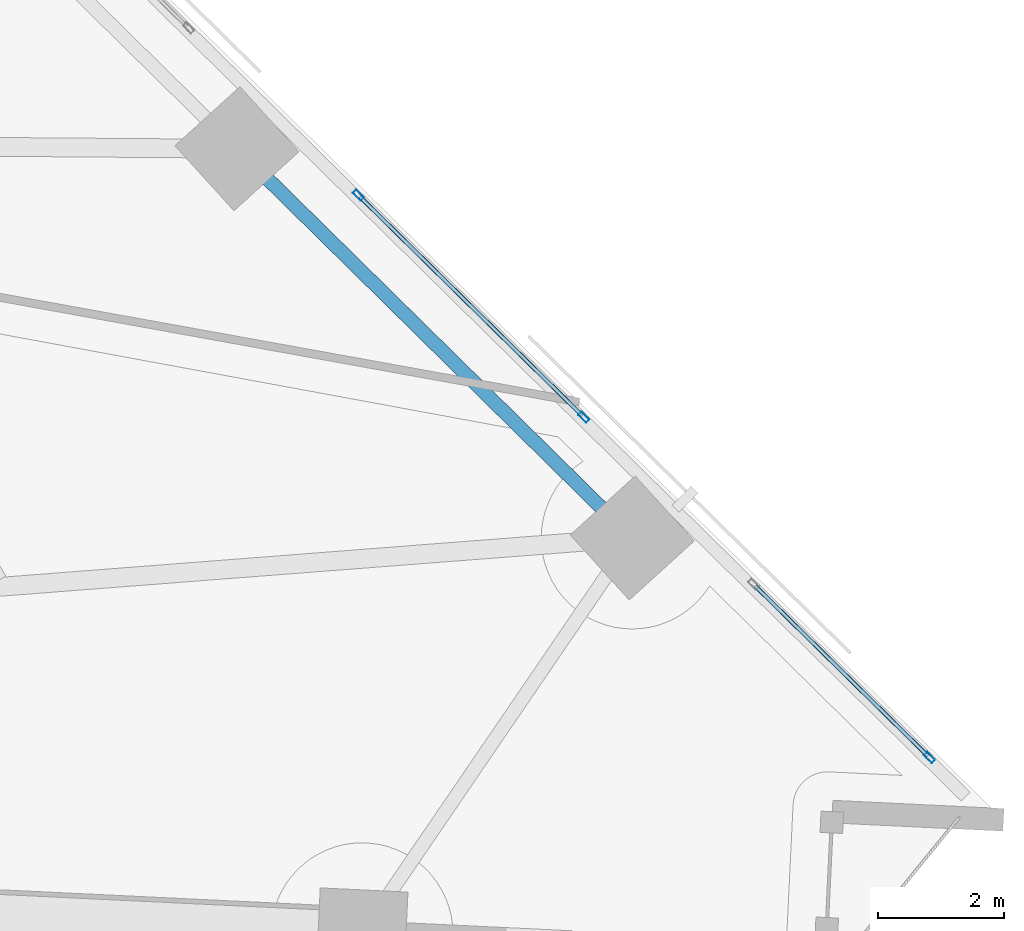
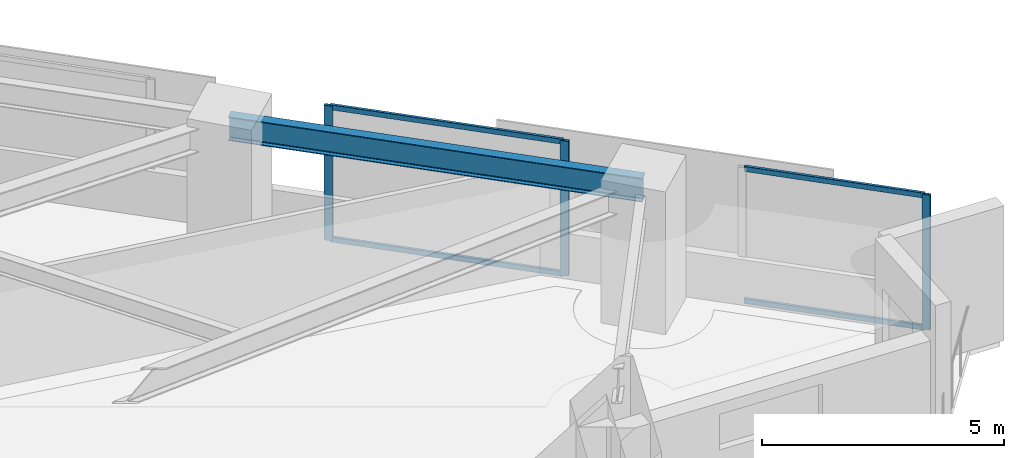
# One storey, part 5 of 17: 7 members, 1 beam, 2 elements without a shape of their own.
"""IFC4 building model written with IfcOpenShell, lengths in metres."""

from ifc_helpers import new_model, si_unit, direction, frame, origin, origin_2d, place, context, subcontext, project, spatial, hollow_rectangle, i_section, extrude, material, material_profile, profile_set, type_object, element, aggregate, save


model = new_model("IFC4")

# Units and contexts
model_context = context("Model", 3, precision=1e-05, world=origin(), true_north=direction((0.0, 1.0)))
body_context = subcontext(model_context, "Body", "Model", "MODEL_VIEW")
ifc_project = project(units=[si_unit("LENGTHUNIT", "METRE"), si_unit("AREAUNIT", "SQUARE_METRE"), si_unit("VOLUMEUNIT", "CUBIC_METRE"), si_unit("PLANEANGLEUNIT", "RADIAN"), si_unit("MASSUNIT", "GRAM", prefix="KILO")], contexts=[model_context])

# Site, building, storey
site_placement = place(None, origin())
site = spatial("IfcSite", under=ifc_project, at=site_placement, CompositionType="ELEMENT")
building_placement = place(site_placement, origin())
building = spatial("IfcBuilding", under=site, at=building_placement, Name="Narakoshi Arena Tower", CompositionType="ELEMENT")
storey_placement = place(building_placement, frame((0.0, 0.0, 37.5)))
storey = spatial("IfcBuildingStorey", under=building, at=storey_placement, Name="L09", CompositionType="ELEMENT", Elevation=37.5)

# Beam
ifc_material_1 = material(Name="Structural steel S355J2", Category="steel")
ifc_material_profile_1 = material_profile(ifc_material_1, i_section(OverallWidth=0.219970703125, OverallDepth=0.60009765625, WebThickness=0.011962890625, FlangeThickness=0.01904296875, FilletRadius=0.02392578125, at=origin_2d()), Name="IPE600")
ifc_profile_set_1 = profile_set([ifc_material_profile_1], Name="Structural steel S355J2")
beam_type = type_object("IfcBeamType", Name="BM-EDGE-600", PredefinedType="BEAM", material=ifc_profile_set_1)
beam_placement = place(storey_placement, frame((114.942138671875, 36.969970703125, 3.10009765625), z_axis=(-0.712540689328, 0.70163079041, 0.0), x_axis=(-0.70163079041, -0.712540689328, 0.0)))
element("IfcBeam", 1, at=beam_placement, inside=storey, type_object=beam_type, Name="L09 Perimeter Edge Girder 05", PredefinedType="BEAM", context=body_context, shape_type="SweptSolid", body=[
    extrude(i_section(OverallWidth=0.219970703125, OverallDepth=0.60009765625, WebThickness=0.011962890625, FlangeThickness=0.01904296875, FilletRadius=0.02392578125, at=origin_2d()), origin(), (0.0, 0.0, 1.0), 8.83935546875),
])

# Curtain wall, member
ifc_material_2 = material(Name="Anodised bronze aluminium 6063-T6", Category="aluminium")
curtain_wall_type = type_object("IfcCurtainWallType", Name="CW-HYP-LOW", PredefinedType="NOTDEFINED", material=ifc_material_2)
curtain_wall_1_placement = place(storey_placement, origin())
curtain_wall_1 = element("IfcCurtainWall", 2, at=curtain_wall_1_placement, inside=storey, type_object=curtain_wall_type, Name="L09 Folded Hypotenuse Curtain Wall 1-1", PredefinedType="NOTDEFINED")
ifc_material_profile_2 = material_profile(ifc_material_2, hollow_rectangle(XDim=0.074951171875, YDim=0.179931640625, WallThickness=0.00390625, OuterFilletRadius=0.0048828125, at=origin_2d()), Name="MUL180x75x4")
ifc_profile_set_2 = profile_set([ifc_material_profile_2], Name="Anodised bronze aluminium 6063-T6")
member_type_1 = type_object("IfcMemberType", Name="MEM-MUL-180", PredefinedType="MULLION", material=ifc_profile_set_2)
member_1_placement = place(storey_placement, frame((119.677734375, 33.471923828125, 0.0), z_axis=(0.0, 0.0, 1.0), x_axis=(-0.701630192894, -0.712541277695, 0.0)))
member_1 = element("IfcMember", 3, at=member_1_placement, type_object=member_type_1, Name="CW-01 mullion 1", PredefinedType="MULLION", context=body_context, shape_type="SweptSolid", body=[
    extrude(hollow_rectangle(XDim=0.074951171875, YDim=0.179931640625, WallThickness=0.00390625, OuterFilletRadius=0.0048828125, at=origin_2d()), origin(), (0.0, 0.0, 1.0), 3.39990234375),
])

# Curtain wall, members
curtain_wall_2_placement = place(storey_placement, origin())
curtain_wall_2 = element("IfcCurtainWall", 4, at=curtain_wall_2_placement, inside=storey, type_object=curtain_wall_type, Name="L09 Folded Hypotenuse Curtain Wall 1-2", PredefinedType="NOTDEFINED")
member_2_placement = place(storey_placement, frame((114.17138671875, 38.893798828125, 0.0), z_axis=(0.0, 0.0, 1.0), x_axis=(-0.701623031404, -0.712548329451, 0.0)))
member_2 = element("IfcMember", 5, at=member_2_placement, type_object=member_type_1, Name="CW-01 mullion 1", PredefinedType="MULLION", context=body_context, shape_type="SweptSolid", body=[
    extrude(hollow_rectangle(XDim=0.074951171875, YDim=0.179931640625, WallThickness=0.00390625, OuterFilletRadius=0.0048828125, at=origin_2d()), origin(), (0.0, 0.0, 1.0), 3.39990234375),
])
member_3_placement = place(storey_placement, frame((110.578857421875, 42.43115234375, 0.0), z_axis=(0.0, 0.0, 1.0), x_axis=(-0.701623031404, -0.712548329451, 0.0)))
member_3 = element("IfcMember", 6, at=member_3_placement, type_object=member_type_1, Name="CW-01 mullion 2", PredefinedType="MULLION", context=body_context, shape_type="SweptSolid", body=[
    extrude(hollow_rectangle(XDim=0.074951171875, YDim=0.179931640625, WallThickness=0.00390625, OuterFilletRadius=0.0048828125, at=origin_2d()), origin(), (0.0, 0.0, 1.0), 3.39990234375),
])

# Member
ifc_material_profile_3 = material_profile(ifc_material_2, hollow_rectangle(XDim=0.06494140625, YDim=0.1298828125, WallThickness=0.00390625, OuterFilletRadius=0.0048828125, at=origin_2d()), Name="TRN130x65x4")
ifc_profile_set_3 = profile_set([ifc_material_profile_3], Name="Anodised bronze aluminium 6063-T6")
member_type_2 = type_object("IfcMemberType", Name="MEM-TRN-130", PredefinedType="USERDEFINED", material=ifc_profile_set_3)
member_4_placement = place(storey_placement, frame((119.65087890625, 33.498046875, 0.032470703125), z_axis=(-0.712532234505, 0.701639376596, 0.0), x_axis=(-0.701639376596, -0.712532234505, 0.0)))
member_4 = element("IfcMember", 7, at=member_4_placement, type_object=member_type_2, Name="CW-01 transom 1.1", ObjectType="TRANSOM", PredefinedType="USERDEFINED", context=body_context, shape_type="SweptSolid", body=[
    extrude(hollow_rectangle(XDim=0.06494140625, YDim=0.1298828125, WallThickness=0.00390625, OuterFilletRadius=0.0048828125, at=origin_2d()), origin(), (0.0, 0.0, 1.0), 3.85498046875),
])

member_5_placement = place(storey_placement, frame((119.65087890625, 33.498046875, 3.367431640625), z_axis=(-0.712532234505, 0.701639376596, 0.0), x_axis=(-0.701639376596, -0.712532234505, 0.0)))
member_5 = element("IfcMember", 8, at=member_5_placement, type_object=member_type_2, Name="CW-01 transom 1.2", ObjectType="TRANSOM", PredefinedType="USERDEFINED", context=body_context, shape_type="SweptSolid", body=[
    extrude(hollow_rectangle(XDim=0.06494140625, YDim=0.1298828125, WallThickness=0.00390625, OuterFilletRadius=0.0048828125, at=origin_2d()), origin(), (0.0, 0.0, 1.0), 3.85498046875),
])

aggregate(curtain_wall_1, [member_1, member_4, member_5])

member_6_placement = place(storey_placement, frame((114.14453125, 38.920166015625, 0.032470703125), z_axis=(-0.712542243067, 0.701629212508, 0.0), x_axis=(-0.701629212508, -0.712542243067, 0.0)))
member_6 = element("IfcMember", 9, at=member_6_placement, type_object=member_type_2, Name="CW-01 transom 1.1", ObjectType="TRANSOM", PredefinedType="USERDEFINED", context=body_context, shape_type="SweptSolid", body=[
    extrude(hollow_rectangle(XDim=0.06494140625, YDim=0.1298828125, WallThickness=0.00390625, OuterFilletRadius=0.0048828125, at=origin_2d()), origin(), (0.0, 0.0, 1.0), 4.966552734375),
])

member_7_placement = place(storey_placement, frame((114.14453125, 38.920166015625, 3.367431640625), z_axis=(-0.712542243067, 0.701629212508, 0.0), x_axis=(-0.701629212508, -0.712542243067, 0.0)))
member_7 = element("IfcMember", 10, at=member_7_placement, type_object=member_type_2, Name="CW-01 transom 1.2", ObjectType="TRANSOM", PredefinedType="USERDEFINED", context=body_context, shape_type="SweptSolid", body=[
    extrude(hollow_rectangle(XDim=0.06494140625, YDim=0.1298828125, WallThickness=0.00390625, OuterFilletRadius=0.0048828125, at=origin_2d()), origin(), (0.0, 0.0, 1.0), 4.966552734375),
])

aggregate(curtain_wall_2, [member_2, member_3, member_6, member_7])

save(model, "model.ifc")
